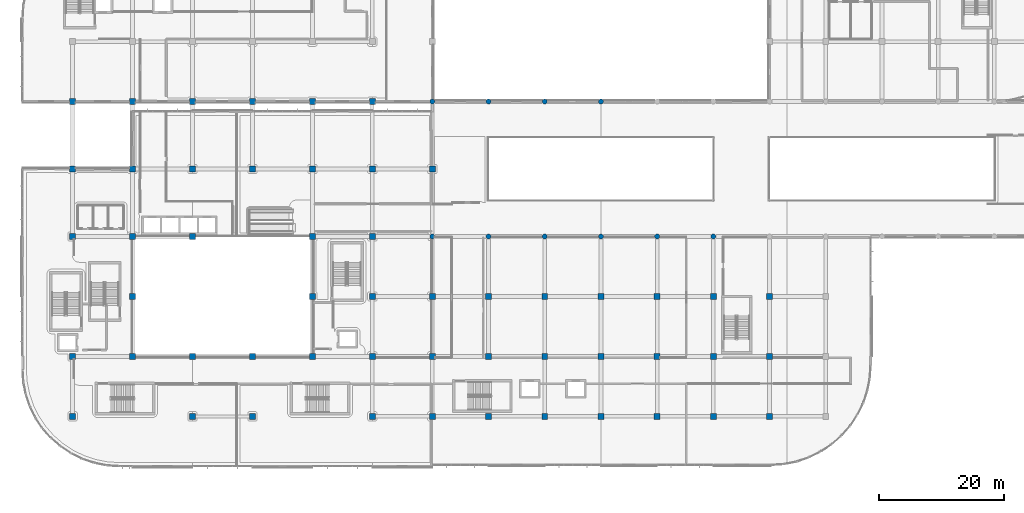
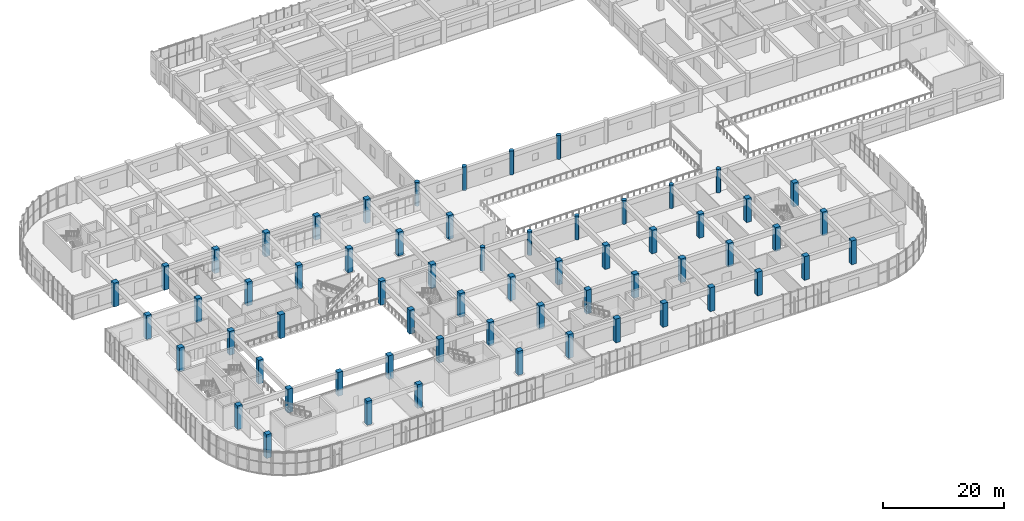
# One storey, part 1 of 86: 62 columns.
"""IFC4 building model written with IfcOpenShell, lengths in metres."""

from ifc_helpers import new_model, si_unit, direction, frame, origin, origin_2d, place, context, subcontext, project, spatial, rectangle, circle, extrude, material, material_profile, profile_set, type_object, element, save


model = new_model("IFC4")

# Units and contexts
model_context = context("Model", 3, precision=1e-05, world=origin(), true_north=direction((0.0, 1.0)))
body_context = subcontext(model_context, "Body", "Model", "MODEL_VIEW")
ifc_project = project(units=[si_unit("LENGTHUNIT", "METRE"), si_unit("AREAUNIT", "SQUARE_METRE"), si_unit("VOLUMEUNIT", "CUBIC_METRE"), si_unit("PLANEANGLEUNIT", "RADIAN"), si_unit("MASSUNIT", "GRAM", prefix="KILO")], contexts=[model_context])

# Site, building, storey
site_placement = place(None, origin())
site = spatial("IfcSite", under=ifc_project, at=site_placement, CompositionType="ELEMENT")
building_placement = place(site_placement, origin())
building = spatial("IfcBuilding", under=site, at=building_placement, Name="Cendralis Terraced Arcade", CompositionType="ELEMENT")
storey_placement = place(building_placement, frame((0.0, 0.0, 5.39990234375)))
storey = spatial("IfcBuildingStorey", under=building, at=storey_placement, Name="L01", CompositionType="ELEMENT", Elevation=5.39990234375)

# Columns
ifc_material = material(Name="Concrete f'c 42 MPa", Category="concrete")
ifc_material_profile_1 = material_profile(ifc_material, rectangle(XDim=0.949951171875, YDim=0.949951171875, at=origin_2d()), Name="RC-COL-950x950", Category="LoadBearing")
ifc_profile_set_1 = profile_set([ifc_material_profile_1], Name="Concrete f'c 42 MPa")
column_type_1 = type_object("IfcColumnType", Name="COL-950", PredefinedType="COLUMN", material=ifc_profile_set_1)
for number, where, z_axis, x_axis, name in (
    (1, (85.199951171875, 9.60009765625, 0.0), (0.0, 0.0, 1.0), (1.0, 0.0, 0.0), "Reinforced Concrete Column 10-B (L01)"),
    (2, (85.199951171875, 19.199951171875, 0.0), (0.0, 0.0, 1.0), (1.0, 0.0, 0.0), "Reinforced Concrete Column 10-C (L01)"),
    (3, (85.199951171875, 28.800048828125, 0.0), (0.0, 0.0, 1.0), (1.0, 0.0, 0.0), "Reinforced Concrete Column 10-D (L01)"),
    (4, (94.199951171875, 9.60009765625, 0.0), (0.0, 0.0, 1.0), (1.0, 0.0, 0.0), "Reinforced Concrete Column 11-B (L01)"),
    (5, (94.199951171875, 19.199951171875, 0.0), (0.0, 0.0, 1.0), (1.0, 0.0, 0.0), "Reinforced Concrete Column 11-C (L01)"),
    (6, (94.199951171875, 28.800048828125, 0.0), (0.0, 0.0, 1.0), (1.0, 0.0, 0.0), "Reinforced Concrete Column 11-D (L01)"),
    (7, (103.199951171875, 9.60009765625, 0.0), (0.0, 0.0, 1.0), (1.0, 0.0, 0.0), "Reinforced Concrete Column 12-B (L01)"),
    (8, (103.199951171875, 19.199951171875, 0.0), (0.0, 0.0, 1.0), (1.0, 0.0, 0.0), "Reinforced Concrete Column 12-C (L01)"),
    (9, (103.199951171875, 28.800048828125, 0.0), (0.0, 0.0, 1.0), (1.0, 0.0, 0.0), "Reinforced Concrete Column 12-D (L01)"),
    (10, (112.199951171875, 9.60009765625, 0.0), (0.0, 0.0, 1.0), (1.0, 0.0, 0.0), "Reinforced Concrete Column 13-B (L01)"),
    (11, (112.199951171875, 19.199951171875, 0.0), (0.0, 0.0, 1.0), (1.0, 0.0, 0.0), "Reinforced Concrete Column 13-C (L01)"),
    (12, (112.199951171875, 28.800048828125, 0.0), (0.0, 0.0, 1.0), (1.0, 0.0, 0.0), "Reinforced Concrete Column 13-D (L01)"),
    (13, (121.199951171875, 9.60009765625, 0.0), (0.0, 0.0, 1.0), (1.0, 0.0, 0.0), "Reinforced Concrete Column 14-B (L01)"),
    (14, (121.199951171875, 19.199951171875, 0.0), (0.0, 0.0, 1.0), (1.0, 0.0, 0.0), "Reinforced Concrete Column 14-C (L01)"),
    (15, (121.199951171875, 28.800048828125, 0.0), (0.0, 0.0, 1.0), (1.0, 0.0, 0.0), "Reinforced Concrete Column 14-D (L01)"),
    (16, (9.60009765625, 9.60009765625, 0.0), (0.0, 0.0, 1.0), (1.0, 0.0, 0.0), "Reinforced Concrete Column 2-B (L01)"),
    (17, (9.60009765625, 19.199951171875, 0.0), (0.0, 0.0, 1.0), (1.0, 0.0, 0.0), "Reinforced Concrete Column 2-C (L01)"),
    (18, (9.60009765625, 38.39990234375, 0.0), (0.0, 0.0, 1.0), (1.0, 0.0, 0.0), "Reinforced Concrete Column 2-E (L01)"),
    (19, (9.60009765625, 49.199951171875, 0.0), (0.0, 0.0, 1.0), (1.0, 0.0, 0.0), "Reinforced Concrete Column 2-F (L01)"),
    (20, (9.60009765625, 60.0, 0.0), (0.0, 0.0, 1.0), (1.0, 0.0, 0.0), "Reinforced Concrete Column 2-G (L01)"),
    (21, (19.199951171875, 19.199951171875, 0.0), (0.0, 0.0, 1.0), (1.0, 0.0, 0.0), "Reinforced Concrete Column 3-C (L01)"),
    (22, (19.199951171875, 28.800048828125, 0.0), (0.0, 0.0, 1.0), (1.0, 0.0, 0.0), "Reinforced Concrete Column 3-D (L01)"),
    (23, (19.199951171875, 38.39990234375, 0.0), (0.0, 0.0, 1.0), (1.0, 0.0, 0.0), "Reinforced Concrete Column 3-E (L01)"),
    (24, (19.199951171875, 49.199951171875, 0.0), (0.0, 0.0, 1.0), (1.0, 0.0, 0.0), "Reinforced Concrete Column 3-F (L01)"),
    (25, (19.199951171875, 60.0, 0.0), (0.0, 0.0, 1.0), (1.0, 0.0, 0.0), "Reinforced Concrete Column 3-G (L01)"),
    (26, (28.800048828125, 9.60009765625, 0.0), (0.0, 0.0, 1.0), (1.0, 0.0, 0.0), "Reinforced Concrete Column 4-B (L01)"),
    (27, (28.800048828125, 19.199951171875, 0.0), (0.0, 0.0, 1.0), (1.0, 0.0, 0.0), "Reinforced Concrete Column 4-C (L01)"),
    (28, (28.800048828125, 38.39990234375, 0.0), (0.0, 0.0, 1.0), (1.0, 0.0, 0.0), "Reinforced Concrete Column 4-E (L01)"),
    (29, (28.800048828125, 49.199951171875, 0.0), (0.0, 0.0, 1.0), (1.0, 0.0, 0.0), "Reinforced Concrete Column 4-F (L01)"),
    (30, (28.800048828125, 60.0, 0.0), (0.0, 0.0, 1.0), (1.0, 0.0, 0.0), "Reinforced Concrete Column 4-G (L01)"),
    (31, (38.39990234375, 9.60009765625, 0.0), (0.0, 0.0, 1.0), (1.0, 0.0, 0.0), "Reinforced Concrete Column 5-B (L01)"),
    (32, (38.39990234375, 19.199951171875, 0.0), (0.0, 0.0, 1.0), (1.0, 0.0, 0.0), "Reinforced Concrete Column 5-C (L01)"),
    (33, (38.39990234375, 49.199951171875, 0.0), (0.0, 0.0, 1.0), (1.0, 0.0, 0.0), "Reinforced Concrete Column 5-F (L01)"),
    (34, (38.39990234375, 60.0, 0.0), (0.0, 0.0, 1.0), (1.0, 0.0, 0.0), "Reinforced Concrete Column 5-G (L01)"),
    (35, (48.0, 19.199951171875, 0.0), (0.0, 0.0, 1.0), (1.0, 0.0, 0.0), "Reinforced Concrete Column 6-C (L01)"),
    (36, (48.0, 28.800048828125, 0.0), (0.0, 0.0, 1.0), (1.0, 0.0, 0.0), "Reinforced Concrete Column 6-D (L01)"),
    (37, (48.0, 38.39990234375, 0.0), (0.0, 0.0, 1.0), (1.0, 0.0, 0.0), "Reinforced Concrete Column 6-E (L01)"),
    (38, (48.0, 49.199951171875, 0.0), (0.0, 0.0, 1.0), (1.0, 0.0, 0.0), "Reinforced Concrete Column 6-F (L01)"),
    (39, (48.0, 60.0, 0.0), (0.0, 0.0, 1.0), (1.0, 0.0, 0.0), "Reinforced Concrete Column 6-G (L01)"),
    (40, (57.60009765625, 9.60009765625, 0.0), (0.0, 0.0, 1.0), (1.0, 0.0, 0.0), "Reinforced Concrete Column 7-B (L01)"),
    (41, (57.60009765625, 19.199951171875, 0.0), (0.0, 0.0, 1.0), (1.0, 0.0, 0.0), "Reinforced Concrete Column 7-C (L01)"),
    (42, (57.60009765625, 28.800048828125, 0.0), (0.0, 0.0, 1.0), (1.0, 0.0, 0.0), "Reinforced Concrete Column 7-D (L01)"),
    (43, (57.60009765625, 38.39990234375, 0.0), (0.0, 0.0, 1.0), (1.0, 0.0, 0.0), "Reinforced Concrete Column 7-E (L01)"),
    (44, (57.60009765625, 49.199951171875, 0.0), (0.0, 0.0, 1.0), (1.0, 0.0, 0.0), "Reinforced Concrete Column 7-F (L01)"),
    (45, (57.60009765625, 60.0, 0.0), (0.0, 0.0, 1.0), (1.0, 0.0, 0.0), "Reinforced Concrete Column 7-G (L01)"),
    (46, (67.199951171875, 9.60009765625, 0.0), (0.0, 0.0, 1.0), (1.0, 0.0, 0.0), "Reinforced Concrete Column 8-B (L01)"),
    (47, (67.199951171875, 19.199951171875, 0.0), (0.0, 0.0, 1.0), (1.0, 0.0, 0.0), "Reinforced Concrete Column 8-C (L01)"),
    (48, (67.199951171875, 28.800048828125, 0.0), (0.0, 0.0, 1.0), (1.0, 0.0, 0.0), "Reinforced Concrete Column 8-D (L01)"),
    (49, (67.199951171875, 49.199951171875, 0.0), (0.0, 0.0, 1.0), (1.0, 0.0, 0.0), "Reinforced Concrete Column 8-F (L01)"),
    (50, (76.199951171875, 9.60009765625, 0.0), (0.0, 0.0, 1.0), (1.0, 0.0, 0.0), "Reinforced Concrete Column 9-B (L01)"),
    (51, (76.199951171875, 19.199951171875, 0.0), (0.0, 0.0, 1.0), (1.0, 0.0, 0.0), "Reinforced Concrete Column 9-C (L01)"),
    (52, (76.199951171875, 28.800048828125, 0.0), (0.0, 0.0, 1.0), (1.0, 0.0, 0.0), "Reinforced Concrete Column 9-D (L01)"),
):
    element("IfcColumn", number, at=place(storey_placement, frame(where, z_axis=z_axis, x_axis=x_axis)), inside=storey, type_object=column_type_1, Name=name, PredefinedType="COLUMN", context=body_context, shape_type="SweptSolid", body=[
        extrude(rectangle(XDim=0.949951171875, YDim=0.949951171875, at=origin_2d()), origin(), (0.0, 0.0, 1.0), 4.800048828125),
    ])
ifc_material_profile_2 = material_profile(ifc_material, circle(Radius=0.39990234375, at=origin_2d()), Name="RC-COL-D800", Category="LoadBearing")
ifc_profile_set_2 = profile_set([ifc_material_profile_2], Name="Concrete f'c 42 MPa")
column_type_2 = type_object("IfcColumnType", Name="COL-D800", PredefinedType="COLUMN", material=ifc_profile_set_2)
for number, where, z_axis, x_axis, name in (
    (53, (85.199951171875, 38.39990234375, 0.0), (0.0, 0.0, 1.0), (1.0, 0.0, 0.0), "Reinforced Concrete Column 10-E (L01)"),
    (54, (85.199951171875, 60.0, 0.0), (0.0, 0.0, 1.0), (1.0, 0.0, 0.0), "Reinforced Concrete Column 10-G (L01)"),
    (55, (94.199951171875, 38.39990234375, 0.0), (0.0, 0.0, 1.0), (1.0, 0.0, 0.0), "Reinforced Concrete Column 11-E (L01)"),
    (56, (94.199951171875, 60.0, 0.0), (0.0, 0.0, 1.0), (1.0, 0.0, 0.0), "Reinforced Concrete Column 11-G (L01)"),
    (57, (103.199951171875, 38.39990234375, 0.0), (0.0, 0.0, 1.0), (1.0, 0.0, 0.0), "Reinforced Concrete Column 12-E (L01)"),
    (58, (112.199951171875, 38.39990234375, 0.0), (0.0, 0.0, 1.0), (1.0, 0.0, 0.0), "Reinforced Concrete Column 13-E (L01)"),
    (59, (67.199951171875, 38.39990234375, 0.0), (0.0, 0.0, 1.0), (1.0, 0.0, 0.0), "Reinforced Concrete Column 8-E (L01)"),
    (60, (67.199951171875, 60.0, 0.0), (0.0, 0.0, 1.0), (1.0, 0.0, 0.0), "Reinforced Concrete Column 8-G (L01)"),
    (61, (76.199951171875, 38.39990234375, 0.0), (0.0, 0.0, 1.0), (1.0, 0.0, 0.0), "Reinforced Concrete Column 9-E (L01)"),
    (62, (76.199951171875, 60.0, 0.0), (0.0, 0.0, 1.0), (1.0, 0.0, 0.0), "Reinforced Concrete Column 9-G (L01)"),
):
    element("IfcColumn", number, at=place(storey_placement, frame(where, z_axis=z_axis, x_axis=x_axis)), inside=storey, type_object=column_type_2, Name=name, PredefinedType="COLUMN", context=body_context, shape_type="SweptSolid", body=[
        extrude(circle(Radius=0.39990234375, at=origin_2d()), origin(), (0.0, 0.0, 1.0), 4.800048828125),
    ])

save(model, "model.ifc")
